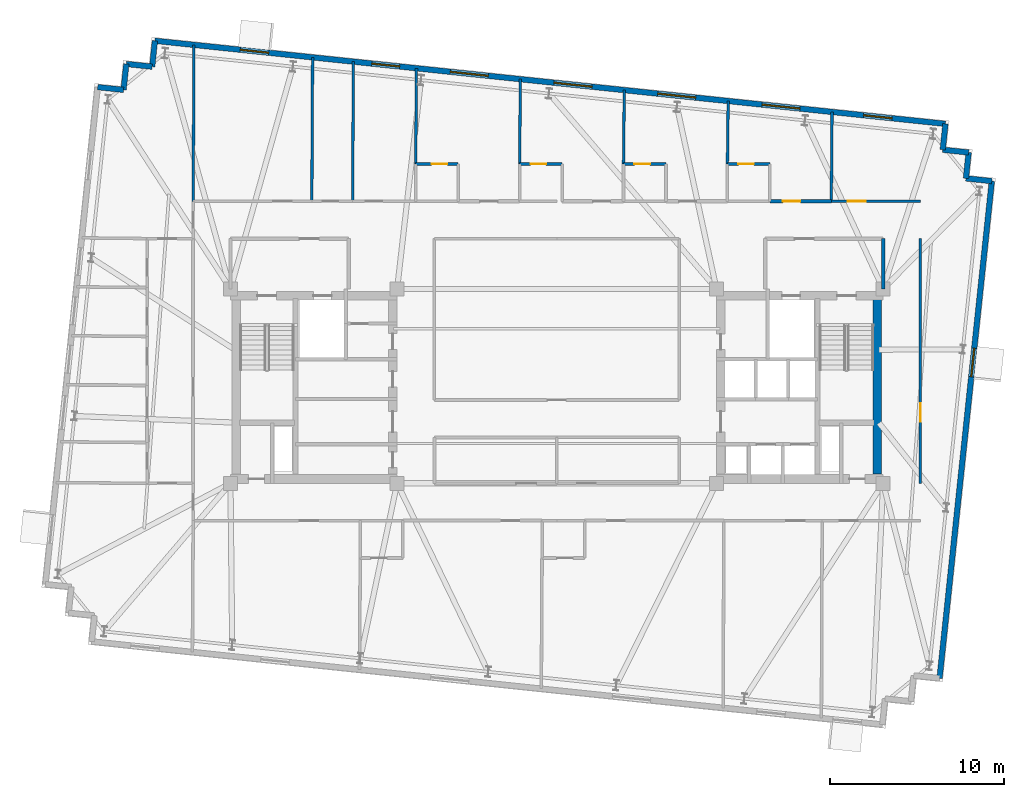
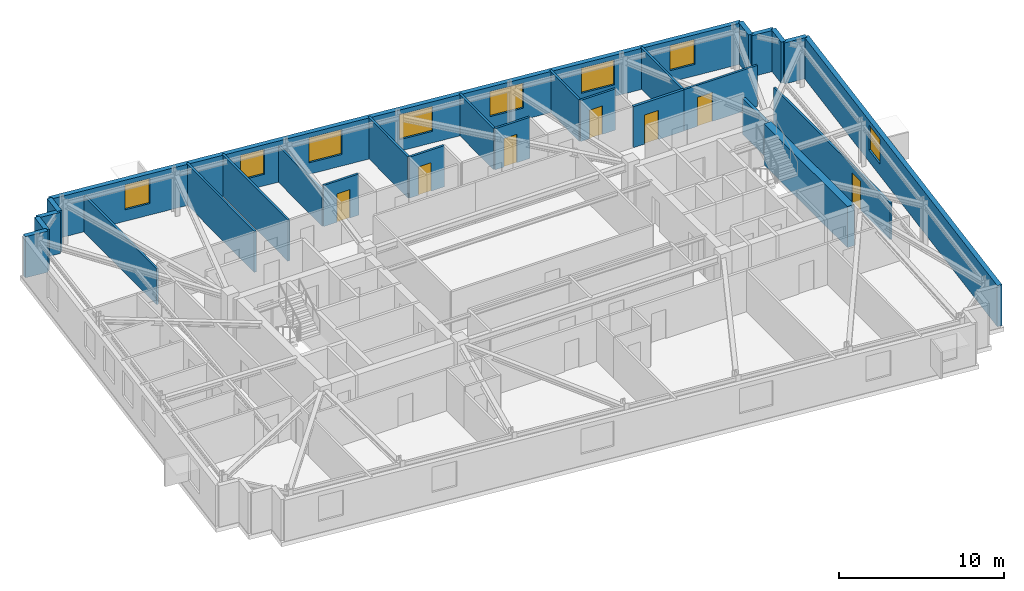
# One storey, part 9 of 12: 27 walls, 8 windows, 7 doors, 15 openings.
"""IFC4 building model written with IfcOpenShell, lengths in metres."""

import ifcopenshell
import ifcopenshell.guid

model = None  # the IFC model being written
_history = None  # IfcOwnerHistory: only IFC2X3 demands one
_inside = {}  # id of a spatial element -> (the spatial element, [elements in it])
_under = {}  # id of a project, library or spatial element -> (it, [spatial elements below it])
_declared = {}  # id of a project -> (the project, [libraries it declares])
_typed = {}  # id of a type object -> (the type object, [elements of that type])
_made_of = {}  # id of a material, layer set ... -> (it, [elements and type objects made of it])


def new_model(schema):
    """Start an empty IFC model of exactly this schema.

    Asked for "IFC4X3", IfcOpenShell would pick the latest addendum, in which some entities
    have other attributes; the version numbers below select the first issue.
    IFC2X3 requires an IfcOwnerHistory on every rooted entity: one is made here for all.
    """
    global model, _history
    if schema == "IFC4X3":
        model = ifcopenshell.file(schema_version=(4, 3, 0, 0))
    else:
        model = ifcopenshell.file(schema=schema)
    _inside.clear()
    _under.clear()
    _declared.clear()
    _typed.clear()
    _made_of.clear()
    _history = None
    if model.schema == "IFC2X3":
        org = make("IfcOrganization", Name="unknown")
        user = make(
            "IfcPersonAndOrganization",
            ThePerson=make("IfcPerson", FamilyName="unknown"),
            TheOrganization=org,
        )
        app = make(
            "IfcApplication",
            ApplicationDeveloper=org,
            Version="unknown",
            ApplicationFullName="unknown",
            ApplicationIdentifier="unknown",
        )
        _history = make(
            "IfcOwnerHistory",
            OwningUser=user,
            OwningApplication=app,
            ChangeAction="ADDED",
            CreationDate=0,
        )
    return model


def make(cls, **values):
    """One entity of the class cls with the attributes given. An attribute that is None is left unset."""
    return model.create_entity(
        cls, **{name: value for name, value in values.items() if value is not None}
    )


def rooted(cls, **values):
    """An entity with a GlobalId (a new one), such as an element, a storey or a relation."""
    return make(cls, GlobalId=ifcopenshell.guid.new(), OwnerHistory=_history, **values)


def si_unit(unit_type, name, prefix=None):
    """IfcSIUnit, for example si_unit("LENGTHUNIT", "METRE", prefix="MILLI")."""
    return make("IfcSIUnit", UnitType=unit_type, Prefix=prefix, Name=name)


def assignment(units):
    """IfcUnitAssignment: the units of a project."""
    return None if units is None else make("IfcUnitAssignment", Units=units)


def point(xyz):
    """IfcCartesianPoint."""
    return None if xyz is None else make("IfcCartesianPoint", Coordinates=xyz)


def direction(xyz):
    """IfcDirection."""
    return None if xyz is None else make("IfcDirection", DirectionRatios=xyz)


def frame(location, z_axis=None, x_axis=None):
    """IfcAxis2Placement3D, a coordinate frame: its origin and axes. An axis left out is left unset."""
    return make(
        "IfcAxis2Placement3D",
        Location=point(location),
        Axis=direction(z_axis),
        RefDirection=direction(x_axis),
    )


def frame_2d(location, x_axis=None):
    """IfcAxis2Placement2D, a coordinate frame in the plane: its origin and x axis."""
    return make(
        "IfcAxis2Placement2D", Location=point(location), RefDirection=direction(x_axis)
    )


def origin():
    """The frame at (0, 0, 0) with its axes left unset."""
    return frame((0.0, 0.0, 0.0))


def place(relative_to, where):
    """IfcLocalPlacement: puts the frame where relative to a parent placement (None: the world)."""
    return make(
        "IfcLocalPlacement", PlacementRelTo=relative_to, RelativePlacement=where
    )


def context(
    kind, dimensions, precision=None, world=None, true_north=None, identifier=None
):
    """IfcGeometricRepresentationContext, for example the 3D "Model" context."""
    return make(
        "IfcGeometricRepresentationContext",
        ContextIdentifier=identifier,
        ContextType=kind,
        CoordinateSpaceDimension=dimensions,
        Precision=precision,
        WorldCoordinateSystem=world,
        TrueNorth=true_north,
    )


def subcontext(parent, identifier, kind, view, scale=None):
    """IfcGeometricRepresentationSubContext, for example "Body" below "Model"."""
    return make(
        "IfcGeometricRepresentationSubContext",
        ContextIdentifier=identifier,
        ContextType=kind,
        ParentContext=parent,
        TargetScale=scale,
        TargetView=view,
    )


def project(units=None, contexts=None):
    """IfcProject with its units and contexts."""
    return rooted(
        "IfcProject",
        Name="project",
        RepresentationContexts=contexts,
        UnitsInContext=assignment(units),
    )


def spatial(cls, under=None, at=None, **own):
    """A site, building, storey or space (cls), placed at a placement, below another one or the project."""
    s = rooted(cls, ObjectPlacement=at, **own)
    if under is not None:
        _under.setdefault(under.id(), (under, []))[1].append(s)
    return s


def profile(cls, at=None, kind="AREA", **sizes):
    """A parametric profile (cls). Its sizes go by their IFC names, for example OverallWidth=200.0."""
    return make(cls, ProfileType=kind, Position=at, **sizes)


def rectangle(**sizes):
    """IfcRectangleProfileDef."""
    return profile("IfcRectangleProfileDef", **sizes)


def extrude(swept, where, along, depth):
    """IfcExtrudedAreaSolid: the profile swept, set in the frame where, extruded along a direction by depth."""
    return make(
        "IfcExtrudedAreaSolid",
        SweptArea=swept,
        Position=where,
        ExtrudedDirection=direction(along),
        Depth=depth,
    )


def shape(context_of_items, identifier, shape_type, items):
    """IfcShapeRepresentation: the items that make up one representation, for example the "Body"."""
    return make(
        "IfcShapeRepresentation",
        ContextOfItems=context_of_items,
        RepresentationIdentifier=identifier,
        RepresentationType=shape_type,
        Items=items,
    )


def material(Name=None, Category=None):
    """IfcMaterial."""
    return make("IfcMaterial", Name=Name, Category=Category)


def layer(
    of_material, thickness, ventilated=None, Name=None, Category=None, Priority=None
):
    """IfcMaterialLayer: one layer of a wall or slab, of a material (None: an air gap)."""
    return make(
        "IfcMaterialLayer",
        Material=of_material,
        LayerThickness=thickness,
        IsVentilated=ventilated,
        Name=Name,
        Category=Category,
        Priority=Priority,
    )


def layer_set(layers, Name=None):
    """IfcMaterialLayerSet."""
    return make("IfcMaterialLayerSet", MaterialLayers=layers, LayerSetName=Name)


def made_of(thing, what):
    """Note that an element or type object is made of a material, layer set ...; save() writes the relation."""
    if what is not None:
        _made_of.setdefault(what.id(), (what, []))[1].append(thing)
    return thing


def type_object(cls, material=None, **own):
    """A type object (cls), such as IfcWallType, which elements share."""
    return made_of(rooted(cls, **own), material)


def element(
    cls,
    number,
    at=None,
    inside=None,
    cuts=None,
    type_object=None,
    material=None,
    context=None,
    identifier="Body",
    shape_type=None,
    held_by="IfcProductDefinitionShape",
    body=None,
    shapes=None,
    **own,
):
    """One element of the class cls, such as IfcWall. Its Tag is "e" and its number.

    at: its placement. inside: the storey or other place that contains it. cuts: it is an
    opening in that element (IfcRelVoidsElement). A single representation is given by context,
    identifier, shape_type and body (its items); several are given by shapes. held_by: the class
    of the entity that holds the representations. save() writes the other relations.
    """
    e = rooted(cls, Tag="e%d" % number, ObjectPlacement=at, **own)
    if body is not None:
        shapes = [shape(context, identifier, shape_type, body)]
    if shapes is not None:
        e.Representation = make(held_by, Representations=shapes)
    if inside is not None:
        _inside.setdefault(inside.id(), (inside, []))[1].append(e)
    if cuts is not None:
        rooted(
            "IfcRelVoidsElement", RelatingBuildingElement=cuts, RelatedOpeningElement=e
        )
    if type_object is not None:
        _typed.setdefault(type_object.id(), (type_object, []))[1].append(e)
    return made_of(e, material)


def fill(opening, filler):
    """IfcRelFillsElement: the door or window that sits in an opening."""
    return rooted(
        "IfcRelFillsElement",
        RelatingOpeningElement=opening,
        RelatedBuildingElement=filler,
    )


def aggregate(whole, parts):
    """IfcRelAggregates: a whole, such as a stair, and the parts it consists of."""
    return rooted("IfcRelAggregates", RelatingObject=whole, RelatedObjects=parts)


def save(model, path):
    """Write the relations noted so far, then the file.

    IfcRelAggregates (storeys below a building ...), IfcRelContainedInSpatialStructure (elements
    in a storey), IfcRelDefinesByType, IfcRelAssociatesMaterial and IfcRelDeclares: one each for
    every whole, place, type object, material and project.
    """
    for whole, parts in _under.values():
        aggregate(whole, parts)
    for where, things in _inside.values():
        rooted(
            "IfcRelContainedInSpatialStructure",
            RelatedElements=things,
            RelatingStructure=where,
        )
    for kind, things in _typed.values():
        rooted("IfcRelDefinesByType", RelatedObjects=things, RelatingType=kind)
    for what, things in _made_of.values():
        rooted("IfcRelAssociatesMaterial", RelatedObjects=things, RelatingMaterial=what)
    for by, libraries in _declared.values():
        rooted("IfcRelDeclares", RelatingContext=by, RelatedDefinitions=libraries)
    model.write(path)


model = new_model("IFC4")

# Units and contexts
model_context = context("Model", 3, precision=1e-05, world=origin(), true_north=direction((0.0, 1.0)))
body_context = subcontext(model_context, "Body", "Model", "MODEL_VIEW")
ifc_project = project(units=[si_unit("LENGTHUNIT", "METRE"), si_unit("AREAUNIT", "SQUARE_METRE"), si_unit("VOLUMEUNIT", "CUBIC_METRE"), si_unit("PLANEANGLEUNIT", "RADIAN"), si_unit("MASSUNIT", "GRAM", prefix="KILO")], contexts=[model_context])

# Site, building, storey
site_placement = place(None, origin())
site = spatial("IfcSite", under=ifc_project, at=site_placement, CompositionType="ELEMENT")
building_placement = place(site_placement, origin())
building = spatial("IfcBuilding", under=site, at=building_placement, Name="Qobustan Lattice House", CompositionType="ELEMENT")
storey_placement = place(building_placement, frame((0.0, 0.0, 189.699951171875)))
storey = spatial("IfcBuildingStorey", under=building, at=storey_placement, Name="L53", CompositionType="ELEMENT", Elevation=189.699951171875)

# Walls
ifc_material_1 = material(Name="Concrete C50/60", Category="concrete")
ifc_layer_1 = layer(ifc_material_1, 0.5)
ifc_layer_set_1 = layer_set([ifc_layer_1], Name="Concrete C50/60")
wall_type_1 = type_object("IfcWallType", Name="WAL-CORE-500", PredefinedType="SHEAR", material=ifc_layer_set_1)
wall_1_placement = place(storey_placement, frame((18.4599609375, -5.050048828125, 0.0), z_axis=(0.0, 0.0, 1.0), x_axis=(0.0, 1.0, 0.0)))
element("IfcWall", 1, at=wall_1_placement, inside=storey, type_object=wall_type_1, Name="L53 split-core shear wall CE-E", PredefinedType="SHEAR", context=body_context, shape_type="SweptSolid", body=[
    extrude(rectangle(XDim=10.10009765625, YDim=0.5, at=frame_2d((5.050048828125, 0.0))), origin(), (0.0, 0.0, 1.0), 3.0400390625),
])
ifc_material_2 = material(Name="Precast concrete C40/50", Category="concrete")
ifc_layer_2 = layer(ifc_material_2, 0.320068359375)
ifc_layer_set_2 = layer_set([ifc_layer_2], Name="Precast concrete C40/50")
wall_type_2 = type_object("IfcWallType", Name="WAL-EXT-STONE-320", PredefinedType="SOLIDWALL", material=ifc_layer_set_2)
wall_2_placement = place(storey_placement, frame((-26.452880859375, 17.228515625, 0.0), z_axis=(0.0, 0.0, 1.0), x_axis=(0.994508128223, -0.104659366031, 0.0)))
element("IfcWall", 2, at=wall_2_placement, inside=storey, type_object=wall_type_2, Name="L53 exterior limestone-clad wall 6", PredefinedType="SOLIDWALL", context=body_context, shape_type="SweptSolid", body=[
    extrude(rectangle(XDim=1.5, YDim=0.320068359375, at=frame_2d((0.75, 0.0))), origin(), (0.0, 0.0, 1.0), 3.0400390625),
])
wall_3_placement = place(storey_placement, frame((-24.961181640625, 17.071533203125, 0.0), z_axis=(0.0, 0.0, 1.0), x_axis=(0.104642427191, 0.994509910675, 0.0)))
element("IfcWall", 3, at=wall_3_placement, inside=storey, type_object=wall_type_2, Name="L53 exterior limestone-clad wall 7", PredefinedType="SOLIDWALL", context=body_context, shape_type="SweptSolid", body=[
    extrude(rectangle(XDim=1.500244140625, YDim=0.320068359375, at=frame_2d((0.75, 0.0))), origin(), (0.0, 0.0, 1.0), 3.0400390625),
])
wall_4_placement = place(storey_placement, frame((-24.80419921875, 18.5634765625, 0.0), z_axis=(0.0, 0.0, 1.0), x_axis=(0.994508128223, -0.104659366031, 0.0)))
element("IfcWall", 4, at=wall_4_placement, inside=storey, type_object=wall_type_2, Name="L53 exterior limestone-clad wall 8", PredefinedType="SOLIDWALL", context=body_context, shape_type="SweptSolid", body=[
    extrude(rectangle(XDim=1.5, YDim=0.320068359375, at=frame_2d((0.75, 0.0))), origin(), (0.0, 0.0, 1.0), 3.0400390625),
])
wall_5_placement = place(storey_placement, frame((-23.3125, 18.406494140625, 0.0), z_axis=(0.0, 0.0, 1.0), x_axis=(0.104481464157, 0.994526834051, 0.0)))
element("IfcWall", 5, at=wall_5_placement, inside=storey, type_object=wall_type_2, Name="L53 exterior limestone-clad wall 9", PredefinedType="SOLIDWALL", context=body_context, shape_type="SweptSolid", body=[
    extrude(rectangle(XDim=1.500244140625, YDim=0.320068359375, at=frame_2d((0.75, 0.0))), origin(), (0.0, 0.0, 1.0), 3.0400390625),
])

# Wall, openings, windows
wall_6_placement = place(storey_placement, frame((-23.15576171875, 19.8984375, 0.0), z_axis=(0.0, 0.0, 1.0), x_axis=(0.994522001802, -0.104527450613, 0.0)))
wall_6 = element("IfcWall", 6, at=wall_6_placement, inside=storey, type_object=wall_type_2, Name="L53 exterior limestone-clad wall 10", PredefinedType="SOLIDWALL", context=body_context, shape_type="SweptSolid", body=[
    extrude(rectangle(XDim=45.800048828125, YDim=0.320068359375, at=frame_2d((22.89990234375, 0.0))), origin(), (0.0, 0.0, 1.0), 3.0400390625),
])
opening_1_placement = place(wall_6_placement, frame((4.93994140625, 0.0, 0.85009765625)))
opening_1 = element("IfcOpeningElement", 7, at=opening_1_placement, cuts=wall_6, Name="Opening WN-09", PredefinedType="OPENING", context=body_context, shape_type="SweptSolid", body=[
    extrude(rectangle(XDim=1.64990234375, YDim=1.85009765625, at=frame_2d((0.824951171875, 0.925048828125))), frame((0.0, 0.169921875, 0.0), z_axis=(0.0, -1.0, 0.0), x_axis=(1.0, 0.0, 0.0)), (0.0, 0.0, 1.0), 0.340087890625),
])
opening_2_placement = place(wall_6_placement, frame((12.57177734375, 0.0, 0.85009765625)))
opening_2 = element("IfcOpeningElement", 8, at=opening_2_placement, cuts=wall_6, Name="Opening WN-13", PredefinedType="OPENING", context=body_context, shape_type="SweptSolid", body=[
    extrude(rectangle(XDim=1.60009765625, YDim=1.85009765625, at=frame_2d((0.800048828125, 0.925048828125))), frame((0.0, 0.169921875, 0.0), z_axis=(0.0, -1.0, 0.0), x_axis=(1.0, 0.0, 0.0)), (0.0, 0.0, 1.0), 0.340087890625),
])
opening_3_placement = place(wall_6_placement, frame((17.115966796875, 0.0, 0.85009765625)))
opening_3 = element("IfcOpeningElement", 9, at=opening_3_placement, cuts=wall_6, Name="Opening WN-03", PredefinedType="OPENING", context=body_context, shape_type="SweptSolid", body=[
    extrude(rectangle(XDim=2.199951171875, YDim=1.85009765625, at=frame_2d((1.10009765625, 0.925048828125))), frame((0.0, 0.169921875, 0.0), z_axis=(0.0, -1.0, 0.0), x_axis=(1.0, 0.0, 0.0)), (0.0, 0.0, 1.0), 0.340087890625),
])
opening_4_placement = place(wall_6_placement, frame((23.12109375, 0.0, 0.85009765625)))
opening_4 = element("IfcOpeningElement", 10, at=opening_4_placement, cuts=wall_6, Name="Opening WN-03", PredefinedType="OPENING", context=body_context, shape_type="SweptSolid", body=[
    extrude(rectangle(XDim=2.199951171875, YDim=1.85009765625, at=frame_2d((1.10009765625, 0.925048828125))), frame((0.0, 0.169921875, 0.0), z_axis=(0.0, -1.0, 0.0), x_axis=(1.0, 0.0, 0.0)), (0.0, 0.0, 1.0), 0.340087890625),
])
opening_5_placement = place(wall_6_placement, frame((29.12646484375, 0.0, 0.85009765625)))
opening_5 = element("IfcOpeningElement", 11, at=opening_5_placement, cuts=wall_6, Name="Opening WN-03", PredefinedType="OPENING", context=body_context, shape_type="SweptSolid", body=[
    extrude(rectangle(XDim=2.199951171875, YDim=1.85009765625, at=frame_2d((1.10009765625, 0.925048828125))), frame((0.0, 0.169921875, 0.0), z_axis=(0.0, -1.0, 0.0), x_axis=(1.0, 0.0, 0.0)), (0.0, 0.0, 1.0), 0.340087890625),
])
opening_6_placement = place(wall_6_placement, frame((35.171875, 0.0, 0.85009765625)))
opening_6 = element("IfcOpeningElement", 12, at=opening_6_placement, cuts=wall_6, Name="Opening WN-03", PredefinedType="OPENING", context=body_context, shape_type="SweptSolid", body=[
    extrude(rectangle(XDim=2.199951171875, YDim=1.85009765625, at=frame_2d((1.10009765625, 0.925048828125))), frame((0.0, 0.169921875, 0.0), z_axis=(0.0, -1.0, 0.0), x_axis=(1.0, 0.0, 0.0)), (0.0, 0.0, 1.0), 0.340087890625),
])
opening_7_placement = place(wall_6_placement, frame((41.0517578125, 0.0, 0.85009765625)))
opening_7 = element("IfcOpeningElement", 13, at=opening_7_placement, cuts=wall_6, Name="Opening WN-09", PredefinedType="OPENING", context=body_context, shape_type="SweptSolid", body=[
    extrude(rectangle(XDim=1.64990234375, YDim=1.85009765625, at=frame_2d((0.824951171875, 0.925048828125))), frame((0.0, 0.169921875, 0.0), z_axis=(0.0, -1.0, 0.0), x_axis=(1.0, 0.0, 0.0)), (0.0, 0.0, 1.0), 0.340087890625),
])
ifc_material_3 = material(Name="Double-glazed low-E aluminium window", Category="aluminium")
window_type_1 = type_object("IfcWindowType", Name="WIN-BED-1600x1850", PartitioningType="SINGLE_PANEL", PredefinedType="WINDOW", material=ifc_material_3)
window_1_placement = place(opening_2_placement, origin())
window_1 = element("IfcWindow", 14, at=window_1_placement, inside=storey, type_object=window_type_1, Name="L53 Laundry utility room window", OverallHeight=1.85009765625, OverallWidth=1.60009765625, PartitioningType="SINGLE_PANEL", PredefinedType="WINDOW", context=body_context, shape_type="SweptSolid", body=[
    extrude(rectangle(XDim=1.60009765625, YDim=1.85009765625, at=frame_2d((0.800048828125, 0.925048828125))), frame((0.0, 0.030029296875, 0.0), z_axis=(0.0, -1.0, 0.0), x_axis=(1.0, 0.0, 0.0)), (0.0, 0.0, 1.0), 0.06005859375),
])
fill(opening_2, window_1)
ifc_material_4 = material(Name="Double-glazed low-E aluminium window", Category="aluminium")
window_type_2 = type_object("IfcWindowType", Name="WIN-STU-1650x1850", PartitioningType="SINGLE_PANEL", PredefinedType="WINDOW", material=ifc_material_4)
window_2_placement = place(opening_1_placement, origin())
window_2 = element("IfcWindow", 15, at=window_2_placement, inside=storey, type_object=window_type_2, Name="L53 Focus study room N1 window", OverallHeight=1.85009765625, OverallWidth=1.64990234375, PartitioningType="SINGLE_PANEL", PredefinedType="WINDOW", context=body_context, shape_type="SweptSolid", body=[
    extrude(rectangle(XDim=1.64990234375, YDim=1.85009765625, at=frame_2d((0.824951171875, 0.925048828125))), frame((0.0, 0.030029296875, 0.0), z_axis=(0.0, -1.0, 0.0), x_axis=(1.0, 0.0, 0.0)), (0.0, 0.0, 1.0), 0.06005859375),
])
fill(opening_1, window_2)
window_3_placement = place(opening_7_placement, origin())
window_3 = element("IfcWindow", 16, at=window_3_placement, inside=storey, type_object=window_type_2, Name="L53 Focus study room N7 window", OverallHeight=1.85009765625, OverallWidth=1.64990234375, PartitioningType="SINGLE_PANEL", PredefinedType="WINDOW", context=body_context, shape_type="SweptSolid", body=[
    extrude(rectangle(XDim=1.64990234375, YDim=1.85009765625, at=frame_2d((0.824951171875, 0.925048828125))), frame((0.0, 0.030029296875, 0.0), z_axis=(0.0, -1.0, 0.0), x_axis=(1.0, 0.0, 0.0)), (0.0, 0.0, 1.0), 0.06005859375),
])
fill(opening_7, window_3)
ifc_material_5 = material(Name="Double-glazed low-E aluminium window", Category="aluminium")
window_type_3 = type_object("IfcWindowType", Name="WIN-WIDE-2200x1850", PartitioningType="SINGLE_PANEL", PredefinedType="WINDOW", material=ifc_material_5)
window_4_placement = place(opening_3_placement, origin())
window_4 = element("IfcWindow", 17, at=window_4_placement, inside=storey, type_object=window_type_3, Name="L53 Kitchenette and studio apartment L53-N3 window", OverallHeight=1.85009765625, OverallWidth=2.199951171875, PartitioningType="SINGLE_PANEL", PredefinedType="WINDOW", context=body_context, shape_type="SweptSolid", body=[
    extrude(rectangle(XDim=2.199951171875, YDim=1.85009765625, at=frame_2d((1.10009765625, 0.925048828125))), frame((0.0, 0.030029296875, 0.0), z_axis=(0.0, -1.0, 0.0), x_axis=(1.0, 0.0, 0.0)), (0.0, 0.0, 1.0), 0.06005859375),
])
fill(opening_3, window_4)
window_5_placement = place(opening_4_placement, origin())
window_5 = element("IfcWindow", 18, at=window_5_placement, inside=storey, type_object=window_type_3, Name="L53 Kitchenette and studio apartment L53-N4 window", OverallHeight=1.85009765625, OverallWidth=2.199951171875, PartitioningType="SINGLE_PANEL", PredefinedType="WINDOW", context=body_context, shape_type="SweptSolid", body=[
    extrude(rectangle(XDim=2.199951171875, YDim=1.85009765625, at=frame_2d((1.10009765625, 0.925048828125))), frame((0.0, 0.030029296875, 0.0), z_axis=(0.0, -1.0, 0.0), x_axis=(1.0, 0.0, 0.0)), (0.0, 0.0, 1.0), 0.06005859375),
])
fill(opening_4, window_5)
window_6_placement = place(opening_5_placement, origin())
window_6 = element("IfcWindow", 19, at=window_6_placement, inside=storey, type_object=window_type_3, Name="L53 Kitchenette and studio apartment L53-N5 window", OverallHeight=1.85009765625, OverallWidth=2.199951171875, PartitioningType="SINGLE_PANEL", PredefinedType="WINDOW", context=body_context, shape_type="SweptSolid", body=[
    extrude(rectangle(XDim=2.199951171875, YDim=1.85009765625, at=frame_2d((1.10009765625, 0.925048828125))), frame((0.0, 0.030029296875, 0.0), z_axis=(0.0, -1.0, 0.0), x_axis=(1.0, 0.0, 0.0)), (0.0, 0.0, 1.0), 0.06005859375),
])
fill(opening_5, window_6)
window_7_placement = place(opening_6_placement, origin())
window_7 = element("IfcWindow", 20, at=window_7_placement, inside=storey, type_object=window_type_3, Name="L53 Kitchenette and studio apartment L53-N6 window", OverallHeight=1.85009765625, OverallWidth=2.199951171875, PartitioningType="SINGLE_PANEL", PredefinedType="WINDOW", context=body_context, shape_type="SweptSolid", body=[
    extrude(rectangle(XDim=2.199951171875, YDim=1.85009765625, at=frame_2d((1.10009765625, 0.925048828125))), frame((0.0, 0.030029296875, 0.0), z_axis=(0.0, -1.0, 0.0), x_axis=(1.0, 0.0, 0.0)), (0.0, 0.0, 1.0), 0.06005859375),
])
fill(opening_6, window_7)

# Walls
wall_7_placement = place(storey_placement, frame((22.393310546875, 15.111083984375, 0.0), z_axis=(0.0, 0.0, 1.0), x_axis=(-0.104481464157, -0.994526834051, 0.0)))
element("IfcWall", 21, at=wall_7_placement, inside=storey, type_object=wall_type_2, Name="L53 exterior limestone-clad wall 11", PredefinedType="SOLIDWALL", context=body_context, shape_type="SweptSolid", body=[
    extrude(rectangle(XDim=1.500244140625, YDim=0.320068359375, at=frame_2d((0.75, 0.0))), origin(), (0.0, 0.0, 1.0), 3.0400390625),
])
for number, where, z_axis, x_axis, name in (
    (22, (22.236572265625, 13.619140625, 0.0), (0.0, 0.0, 1.0), (0.994525057048, -0.104498377516, 0.0), "L53 exterior limestone-clad wall 12"),
    (23, (23.728271484375, 13.46240234375, 0.0), (0.0, 0.0, 1.0), (-0.104498377516, -0.994525057048, 0.0), "L53 exterior limestone-clad wall 13"),
    (24, (23.571533203125, 11.970703125, 0.0), (0.0, 0.0, 1.0), (0.994508128223, -0.104659366031, 0.0), "L53 exterior limestone-clad wall 14"),
):
    element("IfcWall", number, at=place(storey_placement, frame(where, z_axis=z_axis, x_axis=x_axis)), inside=storey, type_object=wall_type_2, Name=name, PredefinedType="SOLIDWALL", context=body_context, shape_type="SweptSolid", body=[
        extrude(rectangle(XDim=1.5, YDim=0.320068359375, at=frame_2d((0.75, 0.0))), origin(), (0.0, 0.0, 1.0), 3.0400390625),
    ])

# Wall, opening, window
wall_8_placement = place(storey_placement, frame((25.063232421875, 11.813720703125, 0.0), z_axis=(0.0, 0.0, 1.0), x_axis=(-0.104523275986, -0.99452244056, 0.0)))
wall_8 = element("IfcWall", 25, at=wall_8_placement, inside=storey, type_object=wall_type_2, Name="L53 exterior limestone-clad wall 15", PredefinedType="SOLIDWALL", context=body_context, shape_type="SweptSolid", body=[
    extrude(rectangle(XDim=28.7998046875, YDim=0.320068359375, at=frame_2d((14.39990234375, 0.0))), origin(), (0.0, 0.0, 1.0), 3.0400390625),
])
opening_8_placement = place(wall_8_placement, frame((9.68408203125, 0.0, 0.85009765625)))
opening_8 = element("IfcOpeningElement", 26, at=opening_8_placement, cuts=wall_8, Name="Opening WN-09", PredefinedType="OPENING", context=body_context, shape_type="SweptSolid", body=[
    extrude(rectangle(XDim=1.64990234375, YDim=1.85009765625, at=frame_2d((0.824951171875, 0.925048828125))), frame((0.0, 0.169921875, 0.0), z_axis=(0.0, -1.0, 0.0), x_axis=(1.0, 0.0, 0.0)), (0.0, 0.0, 1.0), 0.340087890625),
])
window_8_placement = place(opening_8_placement, origin())
window_8 = element("IfcWindow", 27, at=window_8_placement, inside=storey, type_object=window_type_2, Name="L53 Communal study lounge window", OverallHeight=1.85009765625, OverallWidth=1.64990234375, PartitioningType="SINGLE_PANEL", PredefinedType="WINDOW", context=body_context, shape_type="SweptSolid", body=[
    extrude(rectangle(XDim=1.64990234375, YDim=1.85009765625, at=frame_2d((0.824951171875, 0.925048828125))), frame((0.0, 0.030029296875, 0.0), z_axis=(0.0, -1.0, 0.0), x_axis=(1.0, 0.0, 0.0)), (0.0, 0.0, 1.0), 0.06005859375),
])
fill(opening_8, window_8)

# Wall, opening, door
ifc_material_6 = material(Name="Gypsum fireboard acoustic partition", Category="gypsum")
ifc_layer_3 = layer(ifc_material_6, 0.179931640625)
ifc_layer_set_3 = layer_set([ifc_layer_3], Name="Gypsum fireboard acoustic partition")
wall_type_3 = type_object("IfcWallType", Name="WAL-FIRE-180", PredefinedType="PARTITIONING", material=ifc_layer_set_3)
wall_9_placement = place(storey_placement, frame((12.279052734375, 10.64990234375, 0.0), z_axis=(0.0, 0.0, 1.0), x_axis=(1.0, 0.0, 0.0)))
wall_9 = element("IfcWall", 28, at=wall_9_placement, inside=storey, type_object=wall_type_3, Name="L53 interior partition 43", PredefinedType="PARTITIONING", context=body_context, shape_type="SweptSolid", body=[
    extrude(rectangle(XDim=3.534912109375, YDim=0.179931640625, at=frame_2d((1.767578125, 0.0))), origin(), (0.0, 0.0, 1.0), 3.0400390625),
])
opening_9_placement = place(wall_9_placement, frame((0.751953125, 0.0, 0.0)))
opening_9 = element("IfcOpeningElement", 29, at=opening_9_placement, cuts=wall_9, Name="Opening FD-02", PredefinedType="OPENING", context=body_context, shape_type="SweptSolid", body=[
    extrude(rectangle(XDim=1.0, YDim=2.14990234375, at=frame_2d((0.5, 1.074951171875))), frame((0.0, 0.099853515625, 0.0), z_axis=(0.0, -1.0, 0.0), x_axis=(1.0, 0.0, 0.0)), (0.0, 0.0, 1.0), 0.199951171875),
])
ifc_material_7 = material(Name="Persian walnut timber and steel frame door", Category="steel")
door_type_1 = type_object("IfcDoorType", Name="DOR-UNIT-FD-1000x2150", OperationType="NOTDEFINED", PredefinedType="DOOR", material=ifc_material_7)
door_1_placement = place(opening_9_placement, origin())
door_1 = element("IfcDoor", 30, at=door_1_placement, inside=storey, type_object=door_type_1, Name="L53 North-east floor corridor to Kitchenette and studio apartment L53-N6 door", OperationType="SINGLE_SWING_LEFT", OverallHeight=2.14990234375, OverallWidth=1.0, PredefinedType="DOOR", context=body_context, shape_type="SweptSolid", body=[
    extrude(rectangle(XDim=1.0, YDim=2.14990234375, at=frame_2d((0.5, 1.074951171875))), frame((0.0, 0.02490234375, 0.0), z_axis=(0.0, -1.0, 0.0), x_axis=(1.0, 0.0, 0.0)), (0.0, 0.0, 1.0), 0.050048828125),
])
fill(opening_9, door_1)

ifc_material_8 = material(Name="Acoustic twin-stud gypsum partition", Category="gypsum")
ifc_layer_4 = layer(ifc_material_8, 0.14990234375)
ifc_layer_set_4 = layer_set([ifc_layer_4], Name="Acoustic twin-stud gypsum partition")
wall_type_4 = type_object("IfcWallType", Name="WAL-PART-150", PredefinedType="PARTITIONING", material=ifc_layer_set_4)
wall_10_placement = place(storey_placement, frame((15.81396484375, 10.64990234375, 0.0), z_axis=(0.0, 0.0, 1.0), x_axis=(1.0, 0.0, 0.0)))
wall_10 = element("IfcWall", 31, at=wall_10_placement, inside=storey, type_object=wall_type_4, Name="L53 interior partition 45", PredefinedType="PARTITIONING", context=body_context, shape_type="SweptSolid", body=[
    extrude(rectangle(XDim=5.135986328125, YDim=0.14990234375, at=frame_2d((2.56787109375, 0.0))), origin(), (0.0, 0.0, 1.0), 3.0400390625),
])
opening_10_placement = place(wall_10_placement, frame((0.94580078125, 0.0, 0.0)))
opening_10 = element("IfcOpeningElement", 32, at=opening_10_placement, cuts=wall_10, Name="Opening ID-02", PredefinedType="OPENING", context=body_context, shape_type="SweptSolid", body=[
    extrude(rectangle(XDim=1.050048828125, YDim=2.14990234375, at=frame_2d((0.52490234375, 1.074951171875))), frame((0.0, 0.0849609375, 0.0), z_axis=(0.0, -1.0, 0.0), x_axis=(1.0, 0.0, 0.0)), (0.0, 0.0, 1.0), 0.169921875),
])
ifc_material_9 = material(Name="Persian walnut timber and steel frame door", Category="steel")
door_type_2 = type_object("IfcDoorType", Name="DOR-STUDY-1050x2150", OperationType="NOTDEFINED", PredefinedType="DOOR", material=ifc_material_9)
door_2_placement = place(opening_10_placement, origin())
door_2 = element("IfcDoor", 33, at=door_2_placement, inside=storey, type_object=door_type_2, Name="L53 North-east floor corridor to Focus study room N7 door", OperationType="SINGLE_SWING_RIGHT", OverallHeight=2.14990234375, OverallWidth=1.050048828125, PredefinedType="DOOR", context=body_context, shape_type="SweptSolid", body=[
    extrude(rectangle(XDim=1.050048828125, YDim=2.14990234375, at=frame_2d((0.52490234375, 1.074951171875))), frame((0.0, 0.02490234375, 0.0), z_axis=(0.0, -1.0, 0.0), x_axis=(1.0, 0.0, 0.0)), (0.0, 0.0, 1.0), 0.050048828125),
])
fill(opening_10, door_2)

wall_11_placement = place(storey_placement, frame((20.949951171875, 8.5, 0.0), z_axis=(0.0, 0.0, 1.0), x_axis=(0.0, -1.0, 0.0)))
wall_11 = element("IfcWall", 34, at=wall_11_placement, inside=storey, type_object=wall_type_4, Name="L53 interior partition 59", PredefinedType="PARTITIONING", context=body_context, shape_type="SweptSolid", body=[
    extrude(rectangle(XDim=14.10009765625, YDim=0.14990234375, at=frame_2d((7.050048828125, 0.0))), origin(), (0.0, 0.0, 1.0), 2.695068359375),
])
opening_11_placement = place(wall_11_placement, frame((9.49755859375, 0.0, 0.0)))
opening_11 = element("IfcOpeningElement", 35, at=opening_11_placement, cuts=wall_11, Name="Opening ID-02", PredefinedType="OPENING", context=body_context, shape_type="SweptSolid", body=[
    extrude(rectangle(XDim=1.050048828125, YDim=2.14990234375, at=frame_2d((0.52490234375, 1.074951171875))), frame((0.0, 0.0849609375, 0.0), z_axis=(0.0, -1.0, 0.0), x_axis=(1.0, 0.0, 0.0)), (0.0, 0.0, 1.0), 0.169921875),
])
door_3_placement = place(opening_11_placement, origin())
door_3 = element("IfcDoor", 36, at=door_3_placement, inside=storey, type_object=door_type_2, Name="L53 East wing spine gallery to Communal study lounge door", OperationType="SINGLE_SWING_RIGHT", OverallHeight=2.14990234375, OverallWidth=1.050048828125, PredefinedType="DOOR", context=body_context, shape_type="SweptSolid", body=[
    extrude(rectangle(XDim=1.050048828125, YDim=2.14990234375, at=frame_2d((0.52490234375, 1.074951171875))), frame((0.0, 0.02490234375, 0.0), z_axis=(0.0, -1.0, 0.0), x_axis=(1.0, 0.0, 0.0)), (0.0, 0.0, 1.0), 0.050048828125),
])
fill(opening_11, door_3)

# Walls
wall_12_placement = place(storey_placement, frame((-20.906005859375, 19.661865234375, 0.0), z_axis=(0.0, 0.0, 1.0), x_axis=(-0.004876272857, -0.999988110911, 0.0)))
element("IfcWall", 37, at=wall_12_placement, inside=storey, type_object=wall_type_4, Name="L53 interior partition 75", PredefinedType="PARTITIONING", context=body_context, shape_type="SweptSolid", body=[
    extrude(rectangle(XDim=9.011962890625, YDim=0.14990234375, at=frame_2d((4.505859375, 0.0))), origin(), (0.0, 0.0, 1.0), 2.6650390625),
])
wall_13_placement = place(storey_placement, frame((-8.085205078125, 18.314453125, 0.0), z_axis=(0.0, 0.0, 1.0), x_axis=(-0.007924663713, -0.99996859936, 0.0)))
element("IfcWall", 38, at=wall_13_placement, inside=storey, type_object=wall_type_4, Name="L53 interior partition 84", PredefinedType="PARTITIONING", context=body_context, shape_type="SweptSolid", body=[
    extrude(rectangle(XDim=5.5146484375, YDim=0.14990234375, at=frame_2d((2.75732421875, 0.0))), origin(), (0.0, 0.0, 1.0), 2.6650390625),
])
wall_14_placement = place(storey_placement, frame((-2.09912109375, 17.685302734375, 0.0), z_axis=(0.0, 0.0, 1.0), x_axis=(-0.008995138317, -0.999959542925, 0.0)))
element("IfcWall", 39, at=wall_14_placement, inside=storey, type_object=wall_type_4, Name="L53 interior partition 88", PredefinedType="PARTITIONING", context=body_context, shape_type="SweptSolid", body=[
    extrude(rectangle(XDim=4.885498046875, YDim=0.14990234375, at=frame_2d((2.44287109375, 0.0))), origin(), (0.0, 0.0, 1.0), 3.0400390625),
])
wall_15_placement = place(storey_placement, frame((3.886962890625, 17.05615234375, 0.0), z_axis=(0.0, 0.0, 1.0), x_axis=(-0.010324694878, -0.999946698917, 0.0)))
element("IfcWall", 40, at=wall_15_placement, inside=storey, type_object=wall_type_4, Name="L53 interior partition 92", PredefinedType="PARTITIONING", context=body_context, shape_type="SweptSolid", body=[
    extrude(rectangle(XDim=4.25634765625, YDim=0.14990234375, at=frame_2d((2.128173828125, 0.0))), origin(), (0.0, 0.0, 1.0), 3.0400390625),
])
wall_16_placement = place(storey_placement, frame((9.872802734375, 16.427001953125, 0.0), z_axis=(0.0, 0.0, 1.0), x_axis=(-0.012048129237, -0.999927418657, 0.0)))
element("IfcWall", 41, at=wall_16_placement, inside=storey, type_object=wall_type_4, Name="L53 interior partition 96", PredefinedType="PARTITIONING", context=body_context, shape_type="SweptSolid", body=[
    extrude(rectangle(XDim=3.627197265625, YDim=0.14990234375, at=frame_2d((1.8134765625, 0.0))), origin(), (0.0, 0.0, 1.0), 3.0400390625),
])
wall_17_placement = place(storey_placement, frame((15.85791015625, 15.7978515625, 0.0), z_axis=(0.0, 0.0, 1.0), x_axis=(-0.008536158681, -0.999963566334, 0.0)))
element("IfcWall", 42, at=wall_17_placement, inside=storey, type_object=wall_type_4, Name="L53 interior partition 100", PredefinedType="PARTITIONING", context=body_context, shape_type="SweptSolid", body=[
    extrude(rectangle(XDim=5.148193359375, YDim=0.14990234375, at=frame_2d((2.57421875, 0.0))), origin(), (0.0, 0.0, 1.0), 3.0400390625),
])
ifc_material_10 = material(Name="Two-hour gypsum fireboard acoustic partition", Category="gypsum")
ifc_layer_5 = layer(ifc_material_10, 0.199951171875)
ifc_layer_set_5 = layer_set([ifc_layer_5], Name="Two-hour gypsum fireboard acoustic partition")
wall_type_5 = type_object("IfcWallType", Name="WAL-PROT-200", PredefinedType="PARTITIONING", material=ifc_layer_set_5)
wall_18_placement = place(storey_placement, frame((18.800048828125, 5.60009765625, 0.0), z_axis=(0.0, 0.0, 1.0), x_axis=(0.0, 1.0, 0.0)))
element("IfcWall", 43, at=wall_18_placement, inside=storey, type_object=wall_type_5, Name="L53 interior partition 18", PredefinedType="PARTITIONING", context=body_context, shape_type="SweptSolid", body=[
    extrude(rectangle(XDim=2.89990234375, YDim=0.199951171875, at=frame_2d((1.449951171875, 0.0))), origin(), (0.0, 0.0, 1.0), 2.6650390625),
])
ifc_material_11 = material(Name="Moisture-resistant acoustic plumbing wall", Category="gypsum")
ifc_layer_6 = layer(ifc_material_11, 0.14990234375)
ifc_layer_set_6 = layer_set([ifc_layer_6], Name="Moisture-resistant acoustic plumbing wall")
wall_type_6 = type_object("IfcWallType", Name="WAL-WET-150", PredefinedType="PLUMBINGWALL", material=ifc_layer_set_6)
wall_19_placement = place(storey_placement, frame((-14.070068359375, 18.943359375, 0.0), z_axis=(0.0, 0.0, 1.0), x_axis=(-0.005298718667, -0.999985961692, 0.0)))
element("IfcWall", 44, at=wall_19_placement, inside=storey, type_object=wall_type_6, Name="L53 interior partition 82", PredefinedType="PLUMBINGWALL", context=body_context, shape_type="SweptSolid", body=[
    extrude(rectangle(XDim=8.29345703125, YDim=0.14990234375, at=frame_2d((4.146728515625, 0.0))), origin(), (0.0, 0.0, 1.0), 3.0400390625),
])
wall_20_placement = place(storey_placement, frame((-11.72021484375, 18.696533203125, 0.0), z_axis=(0.0, 0.0, 1.0), x_axis=(-0.005430909924, -0.9999852525, 0.0)))
element("IfcWall", 45, at=wall_20_placement, inside=storey, type_object=wall_type_6, Name="L53 interior partition 83", PredefinedType="PLUMBINGWALL", context=body_context, shape_type="SweptSolid", body=[
    extrude(rectangle(XDim=8.046630859375, YDim=0.14990234375, at=frame_2d((4.0234375, 0.0))), origin(), (0.0, 0.0, 1.0), 3.0400390625),
])

# Wall, opening, door
wall_21_placement = place(storey_placement, frame((-5.678955078125, 12.800048828125, 0.0), z_axis=(0.0, 0.0, 1.0), x_axis=(-1.0, 0.0, 0.0)))
wall_21 = element("IfcWall", 46, at=wall_21_placement, inside=storey, type_object=wall_type_6, Name="L53 interior partition 86", PredefinedType="PLUMBINGWALL", context=body_context, shape_type="SweptSolid", body=[
    extrude(rectangle(XDim=2.449951171875, YDim=0.14990234375, at=frame_2d((1.22509765625, 0.0))), origin(), (0.0, 0.0, 1.0), 3.0400390625),
])
opening_12_placement = place(wall_21_placement, frame((0.628662109375, 0.0, 0.0)))
opening_12 = element("IfcOpeningElement", 47, at=opening_12_placement, cuts=wall_21, Name="Opening WD-01", PredefinedType="OPENING", context=body_context, shape_type="SweptSolid", body=[
    extrude(rectangle(XDim=0.89990234375, YDim=2.10009765625, at=frame_2d((0.449951171875, 1.050048828125))), frame((0.0, 0.0849609375, 0.0), z_axis=(0.0, -1.0, 0.0), x_axis=(1.0, 0.0, 0.0)), (0.0, 0.0, 1.0), 0.169921875),
])
ifc_material_12 = material(Name="Persian walnut timber and steel frame door", Category="steel")
door_type_3 = type_object("IfcDoorType", Name="DOR-WET-900x2100", OperationType="NOTDEFINED", PredefinedType="DOOR", material=ifc_material_12)
door_4_placement = place(opening_12_placement, origin())
door_4 = element("IfcDoor", 48, at=door_4_placement, inside=storey, type_object=door_type_3, Name="L53 Kitchenette and studio apartment L53-N3 to En-suite bathroom L53-N3 door", OperationType="SINGLE_SWING_LEFT", OverallHeight=2.10009765625, OverallWidth=0.89990234375, PredefinedType="DOOR", context=body_context, shape_type="SweptSolid", body=[
    extrude(rectangle(XDim=0.89990234375, YDim=2.10009765625, at=frame_2d((0.449951171875, 1.050048828125))), frame((0.0, 0.02490234375, 0.0), z_axis=(0.0, -1.0, 0.0), x_axis=(1.0, 0.0, 0.0)), (0.0, 0.0, 1.0), 0.050048828125),
])
fill(opening_12, door_4)

wall_22_placement = place(storey_placement, frame((0.306884765625, 12.800048828125, 0.0), z_axis=(0.0, 0.0, 1.0), x_axis=(-1.0, 0.0, 0.0)))
wall_22 = element("IfcWall", 49, at=wall_22_placement, inside=storey, type_object=wall_type_6, Name="L53 interior partition 90", PredefinedType="PLUMBINGWALL", context=body_context, shape_type="SweptSolid", body=[
    extrude(rectangle(XDim=2.449951171875, YDim=0.14990234375, at=frame_2d((1.22509765625, 0.0))), origin(), (0.0, 0.0, 1.0), 3.0400390625),
])
opening_13_placement = place(wall_22_placement, frame((0.921142578125, 0.0, 0.0)))
opening_13 = element("IfcOpeningElement", 50, at=opening_13_placement, cuts=wall_22, Name="Opening WD-01", PredefinedType="OPENING", context=body_context, shape_type="SweptSolid", body=[
    extrude(rectangle(XDim=0.89990234375, YDim=2.10009765625, at=frame_2d((0.449951171875, 1.050048828125))), frame((0.0, 0.0849609375, 0.0), z_axis=(0.0, -1.0, 0.0), x_axis=(1.0, 0.0, 0.0)), (0.0, 0.0, 1.0), 0.169921875),
])
door_5_placement = place(opening_13_placement, origin())
door_5 = element("IfcDoor", 51, at=door_5_placement, inside=storey, type_object=door_type_3, Name="L53 Kitchenette and studio apartment L53-N4 to En-suite bathroom L53-N4 door", OperationType="SINGLE_SWING_RIGHT", OverallHeight=2.10009765625, OverallWidth=0.89990234375, PredefinedType="DOOR", context=body_context, shape_type="SweptSolid", body=[
    extrude(rectangle(XDim=0.89990234375, YDim=2.10009765625, at=frame_2d((0.449951171875, 1.050048828125))), frame((0.0, 0.02490234375, 0.0), z_axis=(0.0, -1.0, 0.0), x_axis=(1.0, 0.0, 0.0)), (0.0, 0.0, 1.0), 0.050048828125),
])
fill(opening_13, door_5)

wall_23_placement = place(storey_placement, frame((6.29296875, 12.800048828125, 0.0), z_axis=(0.0, 0.0, 1.0), x_axis=(-1.0, 0.0, 0.0)))
wall_23 = element("IfcWall", 52, at=wall_23_placement, inside=storey, type_object=wall_type_6, Name="L53 interior partition 94", PredefinedType="PLUMBINGWALL", context=body_context, shape_type="SweptSolid", body=[
    extrude(rectangle(XDim=2.449951171875, YDim=0.14990234375, at=frame_2d((1.22509765625, 0.0))), origin(), (0.0, 0.0, 1.0), 3.0400390625),
])
opening_14_placement = place(wall_23_placement, frame((0.92138671875, 0.0, 0.0)))
opening_14 = element("IfcOpeningElement", 53, at=opening_14_placement, cuts=wall_23, Name="Opening WD-01", PredefinedType="OPENING", context=body_context, shape_type="SweptSolid", body=[
    extrude(rectangle(XDim=0.89990234375, YDim=2.10009765625, at=frame_2d((0.449951171875, 1.050048828125))), frame((0.0, 0.0849609375, 0.0), z_axis=(0.0, -1.0, 0.0), x_axis=(1.0, 0.0, 0.0)), (0.0, 0.0, 1.0), 0.169921875),
])
door_6_placement = place(opening_14_placement, origin())
door_6 = element("IfcDoor", 54, at=door_6_placement, inside=storey, type_object=door_type_3, Name="L53 Kitchenette and studio apartment L53-N5 to En-suite bathroom L53-N5 door", OperationType="SINGLE_SWING_LEFT", OverallHeight=2.10009765625, OverallWidth=0.89990234375, PredefinedType="DOOR", context=body_context, shape_type="SweptSolid", body=[
    extrude(rectangle(XDim=0.89990234375, YDim=2.10009765625, at=frame_2d((0.449951171875, 1.050048828125))), frame((0.0, 0.02490234375, 0.0), z_axis=(0.0, -1.0, 0.0), x_axis=(1.0, 0.0, 0.0)), (0.0, 0.0, 1.0), 0.050048828125),
])
fill(opening_14, door_6)

wall_24_placement = place(storey_placement, frame((12.279052734375, 12.800048828125, 0.0), z_axis=(0.0, 0.0, 1.0), x_axis=(-1.0, 0.0, 0.0)))
wall_24 = element("IfcWall", 55, at=wall_24_placement, inside=storey, type_object=wall_type_6, Name="L53 interior partition 98", PredefinedType="PLUMBINGWALL", context=body_context, shape_type="SweptSolid", body=[
    extrude(rectangle(XDim=2.449951171875, YDim=0.14990234375, at=frame_2d((1.22509765625, 0.0))), origin(), (0.0, 0.0, 1.0), 3.0400390625),
])
opening_15_placement = place(wall_24_placement, frame((0.921142578125, 0.0, 0.0)))
opening_15 = element("IfcOpeningElement", 56, at=opening_15_placement, cuts=wall_24, Name="Opening WD-01", PredefinedType="OPENING", context=body_context, shape_type="SweptSolid", body=[
    extrude(rectangle(XDim=0.89990234375, YDim=2.10009765625, at=frame_2d((0.449951171875, 1.050048828125))), frame((0.0, 0.0849609375, 0.0), z_axis=(0.0, -1.0, 0.0), x_axis=(1.0, 0.0, 0.0)), (0.0, 0.0, 1.0), 0.169921875),
])
door_7_placement = place(opening_15_placement, origin())
door_7 = element("IfcDoor", 57, at=door_7_placement, inside=storey, type_object=door_type_3, Name="L53 Kitchenette and studio apartment L53-N6 to En-suite bathroom L53-N6 door", OperationType="SINGLE_SWING_RIGHT", OverallHeight=2.10009765625, OverallWidth=0.89990234375, PredefinedType="DOOR", context=body_context, shape_type="SweptSolid", body=[
    extrude(rectangle(XDim=0.89990234375, YDim=2.10009765625, at=frame_2d((0.449951171875, 1.050048828125))), frame((0.0, 0.02490234375, 0.0), z_axis=(0.0, -1.0, 0.0), x_axis=(1.0, 0.0, 0.0)), (0.0, 0.0, 1.0), 0.050048828125),
])
fill(opening_15, door_7)

save(model, "model.ifc")
